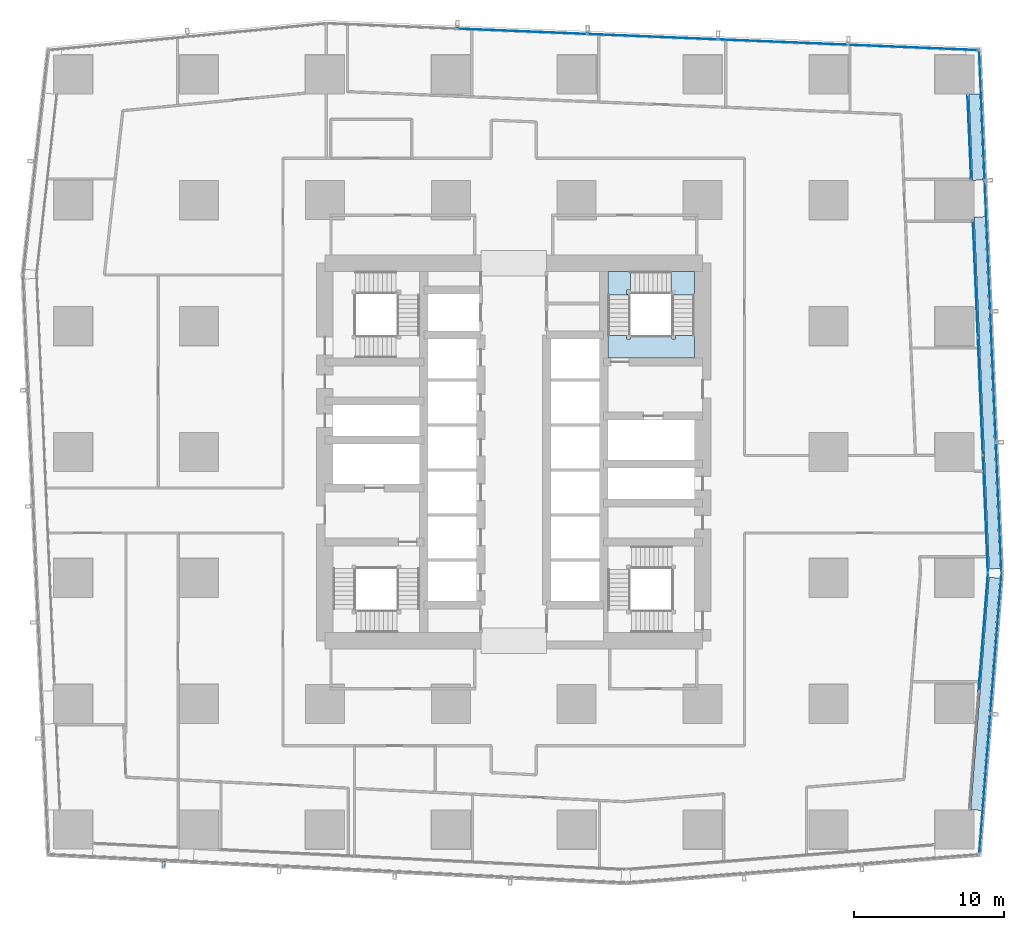
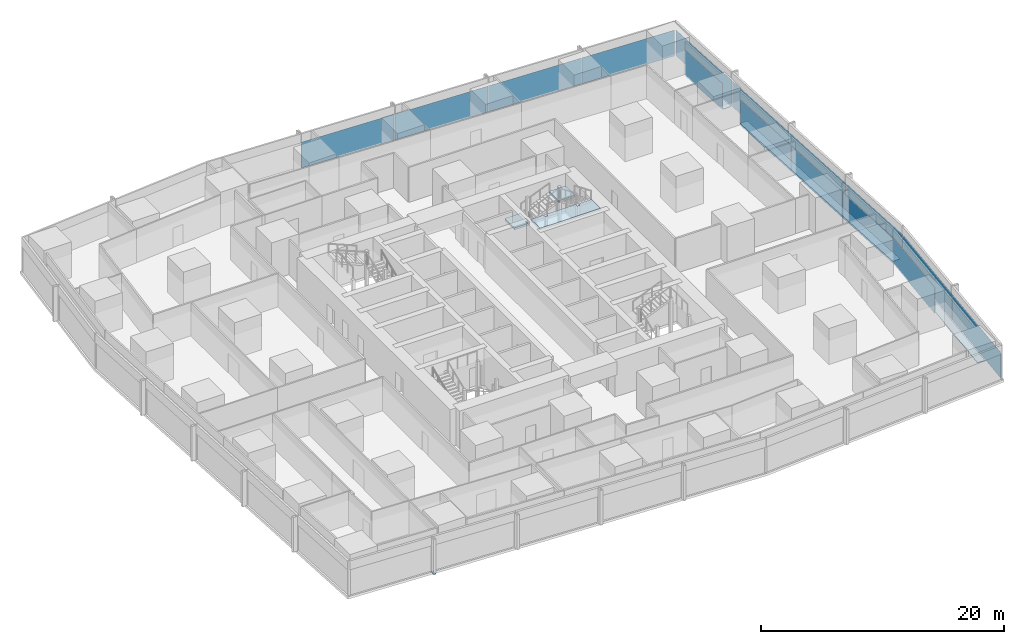
# One storey, part 31 of 46: 19 plates, 3 slabs, 7 elements without a shape of their own.
"""IFC4 building model written with IfcOpenShell, lengths in metres."""

from ifc_helpers import new_model, si_unit, direction, frame, origin, origin_2d, place, context, subcontext, project, spatial, polyline, rectangle, outline, extrude, material, layer, layer_set, type_object, element, aggregate, save


model = new_model("IFC4")

# Units and contexts
model_context = context("Model", 3, precision=1e-05, world=origin(), true_north=direction((0.0, 1.0)))
body_context = subcontext(model_context, "Body", "Model", "MODEL_VIEW")
ifc_project = project(units=[si_unit("LENGTHUNIT", "METRE"), si_unit("AREAUNIT", "SQUARE_METRE"), si_unit("VOLUMEUNIT", "CUBIC_METRE"), si_unit("PLANEANGLEUNIT", "RADIAN"), si_unit("MASSUNIT", "GRAM", prefix="KILO")], contexts=[model_context])

# Site, building, storey
site_placement = place(None, origin())
site = spatial("IfcSite", under=ifc_project, at=site_placement, CompositionType="ELEMENT")
building_placement = place(site_placement, origin())
building = spatial("IfcBuilding", under=site, at=building_placement, Name="Rekha Terrace Tower", CompositionType="ELEMENT")
storey_placement = place(building_placement, frame((0.0, 0.0, 29.14990234375)))
storey = spatial("IfcBuildingStorey", under=building, at=storey_placement, Name="L06", CompositionType="ELEMENT", Elevation=29.14990234375)

# Plate
ifc_material_1 = material(Name="Steel S355 fixing plate bolted to the slab", Category="steel")
ifc_layer_1 = layer(ifc_material_1, 0.02001953125)
ifc_layer_set_1 = layer_set([ifc_layer_1], Name="Steel S355 fixing plate bolted to the slab")
plate_type_1 = type_object("IfcPlateType", Name="BL2 blade bracket plate 200 x 20", PredefinedType="USERDEFINED", material=ifc_layer_set_1)
plate_1_placement = place(storey_placement, frame((14.444091796875, 6.0546875, 0.0), z_axis=(0.0, 0.0, 1.0), x_axis=(-0.049051985279, -0.998796226835, 0.0)))
element("IfcPlate", 1, at=plate_1_placement, inside=storey, type_object=plate_type_1, Name="Blade bracket", ObjectType="BLADE BRACKET", PredefinedType="USERDEFINED", context=body_context, shape_type="SweptSolid", body=[
    extrude(rectangle(XDim=0.429931640625, YDim=0.199951171875, at=origin_2d()), origin(), (0.0, 0.0, 1.0), 0.02001953125),
])

# Curtain wall, plate
ifc_material_2 = material(Name="Aluminium framing", Category="aluminium")
curtain_wall_type_1 = type_object("IfcCurtainWallType", Name="CW1 double skin inner glazing", PredefinedType="USERDEFINED", material=ifc_material_2)
curtain_wall_1_placement = place(storey_placement, origin())
curtain_wall_1 = element("IfcCurtainWall", 2, at=curtain_wall_1_placement, inside=storey, type_object=curtain_wall_type_1, Name="CW1 double skin inner glazing", ObjectType="DOUBLE SKIN INNER GLAZING", PredefinedType="USERDEFINED")
ifc_material_3 = material(Name="Double-glazed low-e unit 32", Category="glass")
ifc_layer_2 = layer(ifc_material_3, 0.031982421875)
ifc_layer_set_2 = layer_set([ifc_layer_2], Name="Double-glazed low-e unit 32")
plate_type_2 = type_object("IfcPlateType", Name="CW1 jumbo vision panel, double-glazed low-e unit 32", PredefinedType="CURTAIN_PANEL", material=ifc_layer_set_2)
plate_2_placement = place(storey_placement, frame((69.126220703125, 21.587646484375, 0.0), z_axis=(0.0, 0.0, 1.0), x_axis=(0.079116300982, 0.996865392578, 0.0)))
plate_2 = element("IfcPlate", 3, at=plate_2_placement, type_object=plate_type_2, Name="CW1 panel 2.1", PredefinedType="CURTAIN_PANEL", context=body_context, shape_type="SweptSolid", body=[
    extrude(rectangle(XDim=7.88818359375, YDim=0.031982421875, at=origin_2d()), origin(), (0.0, 0.0, 1.0), 2.60009765625),
])
aggregate(curtain_wall_1, [plate_2])

# Curtain wall, plates
curtain_wall_2_placement = place(storey_placement, origin())
curtain_wall_2 = element("IfcCurtainWall", 4, at=curtain_wall_2_placement, inside=storey, type_object=curtain_wall_type_1, Name="CW1 double skin inner glazing", ObjectType="DOUBLE SKIN INNER GLAZING", PredefinedType="USERDEFINED")
plate_3_placement = place(storey_placement, frame((69.269775390625, 29.4619140625, 0.0), z_axis=(0.0, 0.0, 1.0), x_axis=(-0.042696072939, 0.999088106903, 0.0)))
plate_3 = element("IfcPlate", 5, at=plate_3_placement, type_object=plate_type_2, Name="CW1 panel 1.1", PredefinedType="CURTAIN_PANEL", context=body_context, shape_type="SweptSolid", body=[
    extrude(rectangle(XDim=7.76220703125, YDim=0.031982421875, at=origin_2d()), origin(), (0.0, 0.0, 1.0), 2.60009765625),
])
plate_4_placement = place(storey_placement, frame((68.934814453125, 37.298095703125, 0.0), z_axis=(0.0, 0.0, 1.0), x_axis=(-0.042696072939, 0.999088106903, 0.0)))
plate_4 = element("IfcPlate", 6, at=plate_4_placement, type_object=plate_type_2, Name="CW1 panel 2.1", PredefinedType="CURTAIN_PANEL", context=body_context, shape_type="SweptSolid", body=[
    extrude(rectangle(XDim=7.794677734375, YDim=0.031982421875, at=origin_2d()), origin(), (0.0, 0.0, 1.0), 2.60009765625),
])
plate_5_placement = place(storey_placement, frame((68.599853515625, 45.134521484375, 0.0), z_axis=(0.0, 0.0, 1.0), x_axis=(-0.042696072939, 0.999088106903, 0.0)))
plate_5 = element("IfcPlate", 7, at=plate_5_placement, type_object=plate_type_2, Name="CW1 panel 3.1", PredefinedType="CURTAIN_PANEL", context=body_context, shape_type="SweptSolid", body=[
    extrude(rectangle(XDim=7.76220703125, YDim=0.031982421875, at=origin_2d()), origin(), (0.0, 0.0, 1.0), 2.60009765625),
])
aggregate(curtain_wall_2, [plate_3, plate_4, plate_5])

# Curtain wall, plate
curtain_wall_3_placement = place(storey_placement, origin())
curtain_wall_3 = element("IfcCurtainWall", 8, at=curtain_wall_3_placement, inside=storey, type_object=curtain_wall_type_1, Name="CW1 double skin inner glazing", ObjectType="DOUBLE SKIN INNER GLAZING", PredefinedType="USERDEFINED")
plate_6_placement = place(storey_placement, frame((68.195556640625, 54.60009765625, 0.0), z_axis=(0.0, 0.0, 1.0), x_axis=(-0.042696072869, 0.999088106906, 0.0)))
plate_6 = element("IfcPlate", 9, at=plate_6_placement, type_object=plate_type_2, Name="CW1 panel 1.1", PredefinedType="CURTAIN_PANEL", context=body_context, shape_type="SweptSolid", body=[
    extrude(rectangle(XDim=5.627197265625, YDim=0.031982421875, at=origin_2d()), origin(), (0.0, 0.0, 1.0), 2.60009765625),
])
aggregate(curtain_wall_3, [plate_6])

# Curtain wall, plates
curtain_wall_type_2 = type_object("IfcCurtainWallType", Name="CW2 double skin outer glazing", PredefinedType="USERDEFINED", material=ifc_material_2)
curtain_wall_4_placement = place(storey_placement, origin())
curtain_wall_4 = element("IfcCurtainWall", 10, at=curtain_wall_4_placement, inside=storey, type_object=curtain_wall_type_2, Name="CW2 double skin outer glazing", ObjectType="DOUBLE SKIN OUTER GLAZING", PredefinedType="USERDEFINED")
ifc_material_4 = material(Name="Toughened single glazing 12", Category="glass")
ifc_layer_3 = layer(ifc_material_4, 0.011962890625)
ifc_layer_set_3 = layer_set([ifc_layer_3], Name="Toughened single glazing 12")
plate_type_3 = type_object("IfcPlateType", Name="CW2 jumbo vision panel, toughened single glazing 12", PredefinedType="CURTAIN_PANEL", material=ifc_layer_set_3)
plate_7_placement = place(storey_placement, frame((69.22509765625, 11.45703125, 0.0), z_axis=(0.0, 0.0, 1.0), x_axis=(0.079116301017, 0.996865392575, 0.0)))
plate_7 = element("IfcPlate", 11, at=plate_7_placement, type_object=plate_type_3, Name="CW2 panel 1.1", PredefinedType="CURTAIN_PANEL", context=body_context, shape_type="SweptSolid", body=[
    extrude(rectangle(XDim=9.28662109375, YDim=0.011962890625, at=origin_2d()), origin(), (0.0, 0.0, 1.0), 2.60009765625),
])
plate_8_placement = place(storey_placement, frame((69.96923828125, 20.834228515625, 0.0), z_axis=(0.0, 0.0, 1.0), x_axis=(0.079116301017, 0.996865392575, 0.0)))
plate_8 = element("IfcPlate", 12, at=plate_8_placement, type_object=plate_type_3, Name="CW2 panel 2.1", PredefinedType="CURTAIN_PANEL", context=body_context, shape_type="SweptSolid", body=[
    extrude(rectangle(XDim=9.36669921875, YDim=0.011962890625, at=origin_2d()), origin(), (0.0, 0.0, 1.0), 2.60009765625),
])
aggregate(curtain_wall_4, [plate_7, plate_8])

curtain_wall_5_placement = place(storey_placement, origin())
curtain_wall_5 = element("IfcCurtainWall", 13, at=curtain_wall_5_placement, inside=storey, type_object=curtain_wall_type_2, Name="CW2 double skin outer glazing", ObjectType="DOUBLE SKIN OUTER GLAZING", PredefinedType="USERDEFINED")
plate_9_placement = place(storey_placement, frame((70.152099609375, 29.890869140625, 0.0), z_axis=(0.0, 0.0, 1.0), x_axis=(-0.042696072956, 0.999088106903, 0.0)))
plate_9 = element("IfcPlate", 14, at=plate_9_placement, type_object=plate_type_3, Name="CW2 panel 1.1", PredefinedType="CURTAIN_PANEL", context=body_context, shape_type="SweptSolid", body=[
    extrude(rectangle(XDim=8.623779296875, YDim=0.011962890625, at=origin_2d()), origin(), (0.0, 0.0, 1.0), 2.60009765625),
])
plate_10_placement = place(storey_placement, frame((69.77978515625, 38.606689453125, 0.0), z_axis=(0.0, 0.0, 1.0), x_axis=(-0.042696072956, 0.999088106903, 0.0)))
plate_10 = element("IfcPlate", 15, at=plate_10_placement, type_object=plate_type_3, Name="CW2 panel 2.1", PredefinedType="CURTAIN_PANEL", context=body_context, shape_type="SweptSolid", body=[
    extrude(rectangle(XDim=8.663818359375, YDim=0.011962890625, at=origin_2d()), origin(), (0.0, 0.0, 1.0), 2.60009765625),
])
plate_11_placement = place(storey_placement, frame((69.406494140625, 47.342529296875, 0.0), z_axis=(0.0, 0.0, 1.0), x_axis=(-0.042696072956, 0.999088106903, 0.0)))
plate_11 = element("IfcPlate", 16, at=plate_11_placement, type_object=plate_type_3, Name="CW2 panel 3.1", PredefinedType="CURTAIN_PANEL", context=body_context, shape_type="SweptSolid", body=[
    extrude(rectangle(XDim=8.663818359375, YDim=0.011962890625, at=origin_2d()), origin(), (0.0, 0.0, 1.0), 2.60009765625),
])
plate_12_placement = place(storey_placement, frame((69.033935546875, 56.058349609375, 0.0), z_axis=(0.0, 0.0, 1.0), x_axis=(-0.042696072956, 0.999088106903, 0.0)))
plate_12 = element("IfcPlate", 17, at=plate_12_placement, type_object=plate_type_3, Name="CW2 panel 4.1", PredefinedType="CURTAIN_PANEL", context=body_context, shape_type="SweptSolid", body=[
    extrude(rectangle(XDim=8.623779296875, YDim=0.011962890625, at=origin_2d()), origin(), (0.0, 0.0, 1.0), 2.60009765625),
])
aggregate(curtain_wall_5, [plate_9, plate_10, plate_11, plate_12])

curtain_wall_type_3 = type_object("IfcCurtainWallType", Name="CW3 north unitised glazing", PredefinedType="USERDEFINED", material=ifc_material_2)
curtain_wall_6_placement = place(storey_placement, origin())
curtain_wall_6 = element("IfcCurtainWall", 18, at=curtain_wall_6_placement, inside=storey, type_object=curtain_wall_type_3, Name="CW3 unitised curtain wall", ObjectType="UNITISED CURTAIN WALL", PredefinedType="USERDEFINED")
ifc_material_5 = material(Name="Double-glazed unit 28", Category="glass")
ifc_layer_4 = layer(ifc_material_5, 0.028076171875)
ifc_layer_set_4 = layer_set([ifc_layer_4], Name="Double-glazed unit 28")
plate_type_4 = type_object("IfcPlateType", Name="CW3 jumbo vision panel, double-glazed unit 28", PredefinedType="CURTAIN_PANEL", material=ifc_layer_set_4)
plate_13_placement = place(storey_placement, frame((64.4423828125, 60.587646484375, 0.0), z_axis=(0.0, 0.0, 1.0), x_axis=(-0.999151997647, 0.041173846041, 0.0)))
plate_13 = element("IfcPlate", 19, at=plate_13_placement, type_object=plate_type_4, Name="CW3 panel 1.1", PredefinedType="CURTAIN_PANEL", context=body_context, shape_type="SweptSolid", body=[
    extrude(rectangle(XDim=8.598876953125, YDim=0.028076171875, at=origin_2d()), origin(), (0.0, 0.0, 1.0), 2.60009765625),
])
plate_14_placement = place(storey_placement, frame((55.76318359375, 60.9453125, 0.0), z_axis=(0.0, 0.0, 1.0), x_axis=(-0.999151997647, 0.041173846041, 0.0)))
plate_14 = element("IfcPlate", 20, at=plate_14_placement, type_object=plate_type_4, Name="CW3 panel 2.1", PredefinedType="CURTAIN_PANEL", context=body_context, shape_type="SweptSolid", body=[
    extrude(rectangle(XDim=8.6337890625, YDim=0.028076171875, at=origin_2d()), origin(), (0.0, 0.0, 1.0), 2.60009765625),
])
plate_15_placement = place(storey_placement, frame((47.066650390625, 61.3037109375, 0.0), z_axis=(0.0, 0.0, 1.0), x_axis=(-0.999151997647, 0.041173846041, 0.0)))
plate_15 = element("IfcPlate", 21, at=plate_15_placement, type_object=plate_type_4, Name="CW3 panel 3.1", PredefinedType="CURTAIN_PANEL", context=body_context, shape_type="SweptSolid", body=[
    extrude(rectangle(XDim=8.6337890625, YDim=0.028076171875, at=origin_2d()), origin(), (0.0, 0.0, 1.0), 2.60009765625),
])
plate_16_placement = place(storey_placement, frame((38.370361328125, 61.662109375, 0.0), z_axis=(0.0, 0.0, 1.0), x_axis=(-0.999151997647, 0.041173846041, 0.0)))
plate_16 = element("IfcPlate", 22, at=plate_16_placement, type_object=plate_type_4, Name="CW3 panel 4.1", PredefinedType="CURTAIN_PANEL", context=body_context, shape_type="SweptSolid", body=[
    extrude(rectangle(XDim=8.6337890625, YDim=0.028076171875, at=origin_2d()), origin(), (0.0, 0.0, 1.0), 2.60009765625),
])
aggregate(curtain_wall_6, [plate_13, plate_14, plate_15, plate_16])

# Plates
ifc_material_6 = material(Name="Galvanised steel open grating", Category="steel")
ifc_layer_5 = layer(ifc_material_6, 0.050048828125)
ifc_layer_set_5 = layer_set([ifc_layer_5], Name="Galvanised steel open grating")
plate_type_5 = type_object("IfcPlateType", Name="GT1 cavity walkway grating 50", PredefinedType="USERDEFINED", material=ifc_layer_set_5)
plate_17_placement = place(storey_placement, frame((69.25, 17.460693359375, 0.0), z_axis=(0.0, 0.0, 1.0), x_axis=(0.079116301, 0.996865392576, 0.0)))
element("IfcPlate", 23, at=plate_17_placement, inside=storey, type_object=plate_type_5, Name="Cavity walkway grating", ObjectType="CAVITY WALKWAY GRATING", PredefinedType="USERDEFINED", context=body_context, shape_type="SweptSolid", body=[
    extrude(rectangle(XDim=15.551513671875, YDim=0.705078125, at=origin_2d()), origin(), (0.0, 0.0, 1.0), 0.050048828125),
])
plate_18_placement = place(storey_placement, frame((69.37451171875, 37.547607421875, 0.0), z_axis=(0.0, 0.0, 1.0), x_axis=(-0.042696072939, 0.999088106903, 0.0)))
element("IfcPlate", 24, at=plate_18_placement, inside=storey, type_object=plate_type_5, Name="Cavity walkway grating", ObjectType="CAVITY WALKWAY GRATING", PredefinedType="USERDEFINED", context=body_context, shape_type="SweptSolid", body=[
    extrude(rectangle(XDim=23.494873046875, YDim=0.705078125, at=origin_2d()), origin(), (0.0, 0.0, 1.0), 0.050048828125),
])
plate_19_placement = place(storey_placement, frame((68.6455078125, 54.6083984375, 0.0), z_axis=(0.0, 0.0, 1.0), x_axis=(-0.042696072939, 0.999088106903, 0.0)))
element("IfcPlate", 25, at=plate_19_placement, inside=storey, type_object=plate_type_5, Name="Cavity walkway grating", ObjectType="CAVITY WALKWAY GRATING", PredefinedType="USERDEFINED", context=body_context, shape_type="SweptSolid", body=[
    extrude(rectangle(XDim=5.750244140625, YDim=0.705078125, at=origin_2d()), origin(), (0.0, 0.0, 1.0), 0.050048828125),
])

# Stair, slabs
ifc_material_7 = material(Name="Concrete M40", Category="concrete")
stair_type = type_object("IfcStairType", Name="ST30 stair, 30 risers of 125, going 300, 1500 wide flights, 3 flights", PredefinedType="HALF_TURN_STAIR", material=ifc_material_7)
stair_placement = place(storey_placement, origin())
stair = element("IfcStair", 26, at=stair_placement, inside=storey, type_object=stair_type, Name="Stair ST2 L06 to L07", PredefinedType="HALF_TURN_STAIR")
ifc_layer_6 = layer(ifc_material_7, 0.199951171875)
ifc_layer_set_6 = layer_set([ifc_layer_6], Name="Concrete M40")
slab_type = type_object("IfcSlabType", Name="LD1 200 concrete stair landing", PredefinedType="LANDING", material=ifc_layer_set_6)
slab_1_placement = place(storey_placement, frame((0.0, 0.0, 1.050048828125)))
slab_1 = element("IfcSlab", 27, at=slab_1_placement, type_object=slab_type, Name="ST2 landing 1", PredefinedType="LANDING", context=body_context, shape_type="SweptSolid", body=[
    extrude(outline(polyline([(45.574951171875, 45.64990234375), (44.074951171875, 45.64990234375), (44.074951171875, 44.074951171875), (45.574951171875, 44.074951171875), (45.574951171875, 44.14990234375), (45.324951171875, 44.14990234375), (45.324951171875, 44.39990234375), (45.574951171875, 44.39990234375), (45.574951171875, 45.64990234375)])), origin(), (0.0, 0.0, 1.0), 0.199951171875),
])
slab_2_placement = place(storey_placement, frame((0.0, 0.0, 2.300048828125)))
slab_2 = element("IfcSlab", 28, at=slab_2_placement, type_object=slab_type, Name="ST2 landing 2", PredefinedType="LANDING", context=body_context, shape_type="SweptSolid", body=[
    extrude(outline(polyline([(48.35009765625, 44.074951171875), (49.85009765625, 44.074951171875), (49.85009765625, 45.64990234375), (48.27490234375, 45.64990234375), (48.27490234375, 44.14990234375), (48.35009765625, 44.14990234375), (48.35009765625, 44.074951171875)])), origin(), (0.0, 0.0, 1.0), 0.199951171875),
])
slab_3_placement = place(storey_placement, frame((0.0, 0.0, 3.550048828125)))
slab_3 = element("IfcSlab", 29, at=slab_3_placement, type_object=slab_type, Name="ST2 landing 3", PredefinedType="LANDING", context=body_context, shape_type="SweptSolid", body=[
    extrude(outline(polyline([(44.074951171875, 41.375), (44.074951171875, 39.875), (49.85009765625, 39.875), (49.85009765625, 41.375), (48.60009765625, 41.375), (48.60009765625, 41.125), (48.35009765625, 41.125), (48.35009765625, 41.375), (45.574951171875, 41.375), (45.574951171875, 41.125), (45.324951171875, 41.125), (45.324951171875, 41.375), (44.074951171875, 41.375)])), origin(), (0.0, 0.0, 1.0), 0.199951171875),
])
aggregate(stair, [slab_1, slab_2, slab_3])

save(model, "model.ifc")
